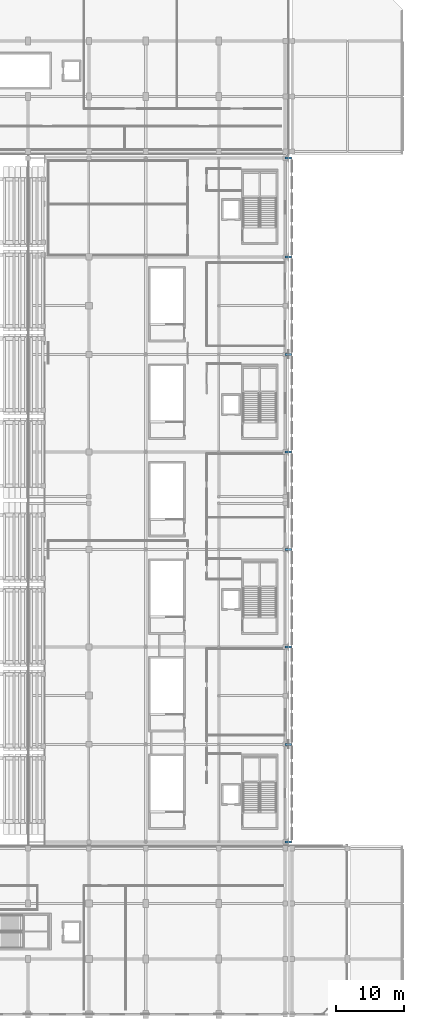
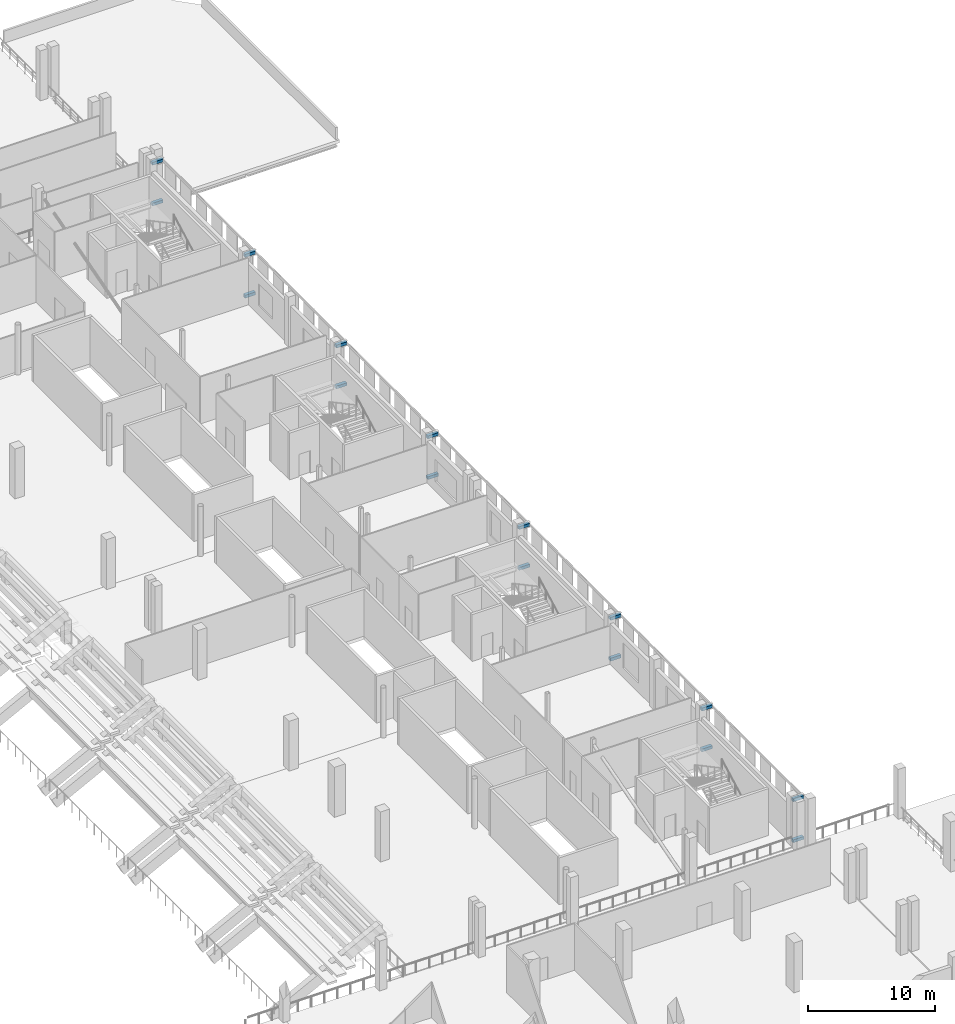
# One storey, part 48 of 74: 16 discrete accessories.
"""IFC4 building model written with IfcOpenShell, lengths in metres."""

from ifc_helpers import new_model, si_unit, direction, frame, origin, origin_2d, place, context, subcontext, project, spatial, rectangle, extrude, material, type_object, element, save


model = new_model("IFC4")

# Units and contexts
model_context = context("Model", 3, precision=1e-05, world=origin(), true_north=direction((0.0, 1.0)))
body_context = subcontext(model_context, "Body", "Model", "MODEL_VIEW")
ifc_project = project(units=[si_unit("LENGTHUNIT", "METRE"), si_unit("AREAUNIT", "SQUARE_METRE"), si_unit("VOLUMEUNIT", "CUBIC_METRE"), si_unit("PLANEANGLEUNIT", "RADIAN"), si_unit("MASSUNIT", "GRAM", prefix="KILO")], contexts=[model_context])

# Site, building, storey
site_placement = place(None, origin())
site = spatial("IfcSite", under=ifc_project, at=site_placement, CompositionType="ELEMENT")
building_placement = place(site_placement, origin())
building = spatial("IfcBuilding", under=site, at=building_placement, Name="Koshinbarg Plaza Stadium", CompositionType="ELEMENT")
storey_placement = place(building_placement, frame((0.0, 0.0, 15.0)))
storey = spatial("IfcBuildingStorey", under=building, at=storey_placement, Name="L03", CompositionType="ELEMENT", Elevation=15.0)

# Discrete accessories
ifc_material = material(Name="Galvanized steel facade support bracket", Category="steel")
discrete_accessory_type = type_object("IfcDiscreteAccessoryType", Name="ACC-BRACKET-01", PredefinedType="BRACKET", material=ifc_material)
for number, where, z_axis, x_axis, name in (
    (1, (218.8798828125, 25.5, 0.10986328125), (0.0, 0.0, 1.0), (1.0, 0.0, 0.0), "Outer screen support bracket E-L03-Y01"),
    (2, (218.8798828125, 25.5, 4.0400390625), (0.0, 0.0, 1.0), (1.0, 0.0, 0.0), "Outer screen support bracket E-L03-Y01"),
    (3, (218.8798828125, 39.89990234375, 0.10986328125), (0.0, 0.0, 1.0), (1.0, 0.0, 0.0), "Outer screen support bracket E-L03-Y02"),
    (4, (218.8798828125, 39.89990234375, 4.0400390625), (0.0, 0.0, 1.0), (1.0, 0.0, 0.0), "Outer screen support bracket E-L03-Y02"),
    (5, (218.8798828125, 54.300048828125, 0.10986328125), (0.0, 0.0, 1.0), (1.0, 0.0, 0.0), "Outer screen support bracket E-L03-Y03"),
    (6, (218.8798828125, 54.300048828125, 4.0400390625), (0.0, 0.0, 1.0), (1.0, 0.0, 0.0), "Outer screen support bracket E-L03-Y03"),
    (7, (218.8798828125, 68.699951171875, 0.10986328125), (0.0, 0.0, 1.0), (1.0, 0.0, 0.0), "Outer screen support bracket E-L03-Y04"),
    (8, (218.8798828125, 68.699951171875, 4.0400390625), (0.0, 0.0, 1.0), (1.0, 0.0, 0.0), "Outer screen support bracket E-L03-Y04"),
    (9, (218.8798828125, 83.10009765625, 0.10986328125), (0.0, 0.0, 1.0), (1.0, 0.0, 0.0), "Outer screen support bracket E-L03-Y05"),
    (10, (218.8798828125, 83.10009765625, 4.0400390625), (0.0, 0.0, 1.0), (1.0, 0.0, 0.0), "Outer screen support bracket E-L03-Y05"),
    (11, (218.8798828125, 97.5, 0.10986328125), (0.0, 0.0, 1.0), (1.0, 0.0, 0.0), "Outer screen support bracket E-L03-Y06"),
    (12, (218.8798828125, 97.5, 4.0400390625), (0.0, 0.0, 1.0), (1.0, 0.0, 0.0), "Outer screen support bracket E-L03-Y06"),
    (13, (218.8798828125, 111.89990234375, 0.10986328125), (0.0, 0.0, 1.0), (1.0, 0.0, 0.0), "Outer screen support bracket E-L03-Y07"),
    (14, (218.8798828125, 111.89990234375, 4.0400390625), (0.0, 0.0, 1.0), (1.0, 0.0, 0.0), "Outer screen support bracket E-L03-Y07"),
    (15, (218.8798828125, 126.5, 0.10986328125), (0.0, 0.0, 1.0), (1.0, 0.0, 0.0), "Outer screen support bracket E-L03-Y08"),
    (16, (218.8798828125, 126.5, 4.0400390625), (0.0, 0.0, 1.0), (1.0, 0.0, 0.0), "Outer screen support bracket E-L03-Y08"),
):
    element("IfcDiscreteAccessory", number, at=place(storey_placement, frame(where, z_axis=z_axis, x_axis=x_axis)), inside=storey, type_object=discrete_accessory_type, Name=name, PredefinedType="BRACKET", context=body_context, shape_type="SweptSolid", body=[
        extrude(rectangle(XDim=0.9599609375, YDim=0.300048828125, at=origin_2d()), origin(), (0.0, 0.0, 1.0), 0.280029296875),
    ])

save(model, "model.ifc")
